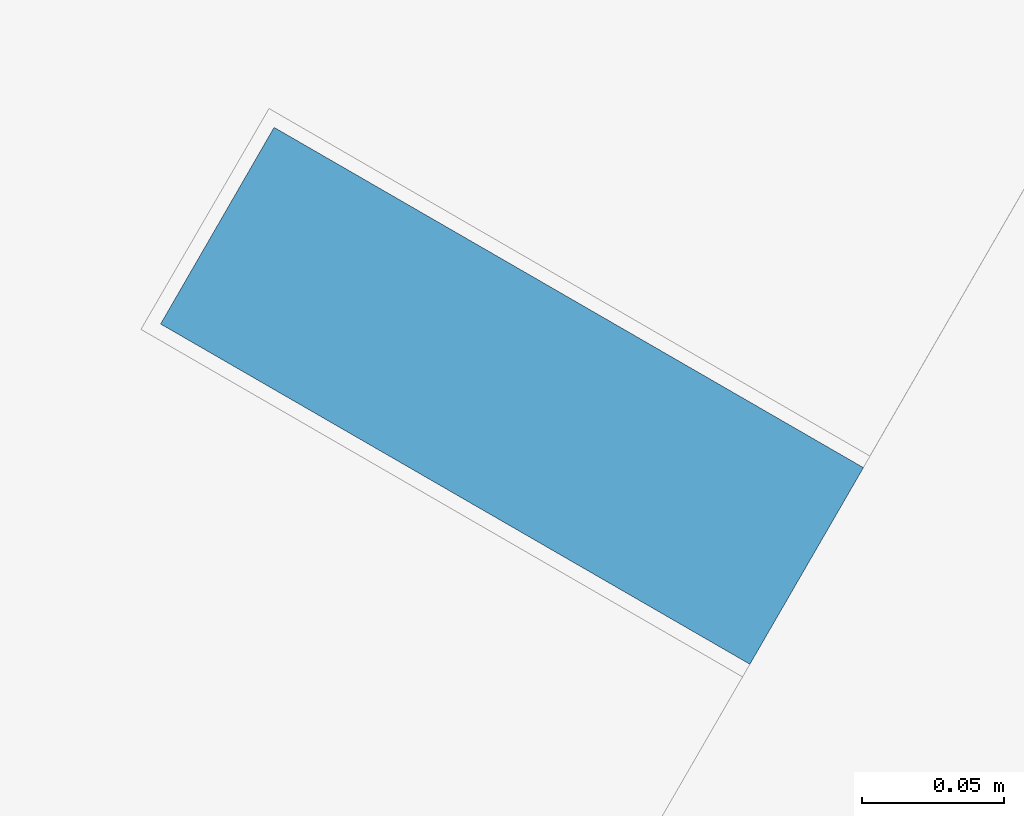
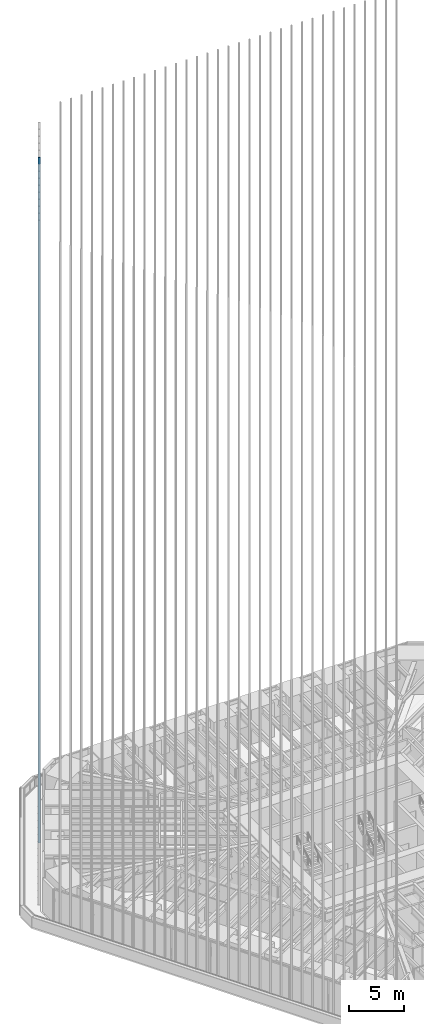
# One storey, part 139 of 238: 1 member, 1 element without a shape of its own.
"""IFC4 building model written with IfcOpenShell, lengths in metres."""

from ifc_helpers import new_model, si_unit, direction, frame, origin, origin_2d, place, context, subcontext, project, spatial, rectangle, extrude, material, material_profile, profile_set, type_object, element, aggregate, save


model = new_model("IFC4")

# Units and contexts
model_context = context("Model", 3, precision=1e-05, world=origin(), true_north=direction((0.0, 1.0)))
body_context = subcontext(model_context, "Body", "Model", "MODEL_VIEW")
ifc_project = project(units=[si_unit("LENGTHUNIT", "METRE"), si_unit("AREAUNIT", "SQUARE_METRE"), si_unit("VOLUMEUNIT", "CUBIC_METRE"), si_unit("PLANEANGLEUNIT", "RADIAN"), si_unit("MASSUNIT", "GRAM", prefix="KILO")], contexts=[model_context])

# Site, building, storey
site_placement = place(None, origin())
site = spatial("IfcSite", under=ifc_project, at=site_placement, CompositionType="ELEMENT")
building_placement = place(site_placement, origin())
building = spatial("IfcBuilding", under=site, at=building_placement, Name="Sandreach Pilgrim Tower", CompositionType="ELEMENT")
storey_placement = place(building_placement, frame((0.0, 0.0, 96.800048828125)))
storey = spatial("IfcBuildingStorey", under=building, at=storey_placement, Name="L23", CompositionType="ELEMENT", Elevation=96.800048828125)

# Curtain wall, member
ifc_material_1 = material(Name="Aluminium framed curtain wall", Category="aluminium")
curtain_wall_type = type_object("IfcCurtainWallType", Name="Hotel tower curtain wall", PredefinedType="NOTDEFINED", material=ifc_material_1)
curtain_wall_placement = place(storey_placement, origin())
curtain_wall = element("IfcCurtainWall", 1, at=curtain_wall_placement, inside=storey, type_object=curtain_wall_type, Name="CW-2 L23 NW", PredefinedType="NOTDEFINED")
ifc_material_2 = material(Name="Extruded terracotta on aluminium core", Category="masonry")
ifc_material_profile = material_profile(ifc_material_2, rectangle(XDim=0.080078125, YDim=0.239990234375, at=origin_2d()), Name="TBW 80X240")
ifc_profile_set = profile_set([ifc_material_profile], Name="Extruded terracotta on aluminium core")
member_type = type_object("IfcMemberType", Name="Terracotta baguette west", PredefinedType="USERDEFINED", material=ifc_profile_set)
member_placement = place(storey_placement, frame((-23.672119140625, 16.22314453125, 0.0), z_axis=(0.0, 0.0, 1.0), x_axis=(0.5, 0.866025403784, 0.0)))
member = element("IfcMember", 2, at=member_placement, type_object=member_type, Name="Baguette Z2 NW10", ObjectType="BAGUETTE", PredefinedType="USERDEFINED", context=body_context, shape_type="SweptSolid", body=[
    extrude(rectangle(XDim=0.080078125, YDim=0.239990234375, at=origin_2d()), origin(), (0.0, 0.0, 1.0), 75.83984375),
])
aggregate(curtain_wall, [member])

save(model, "model.ifc")
